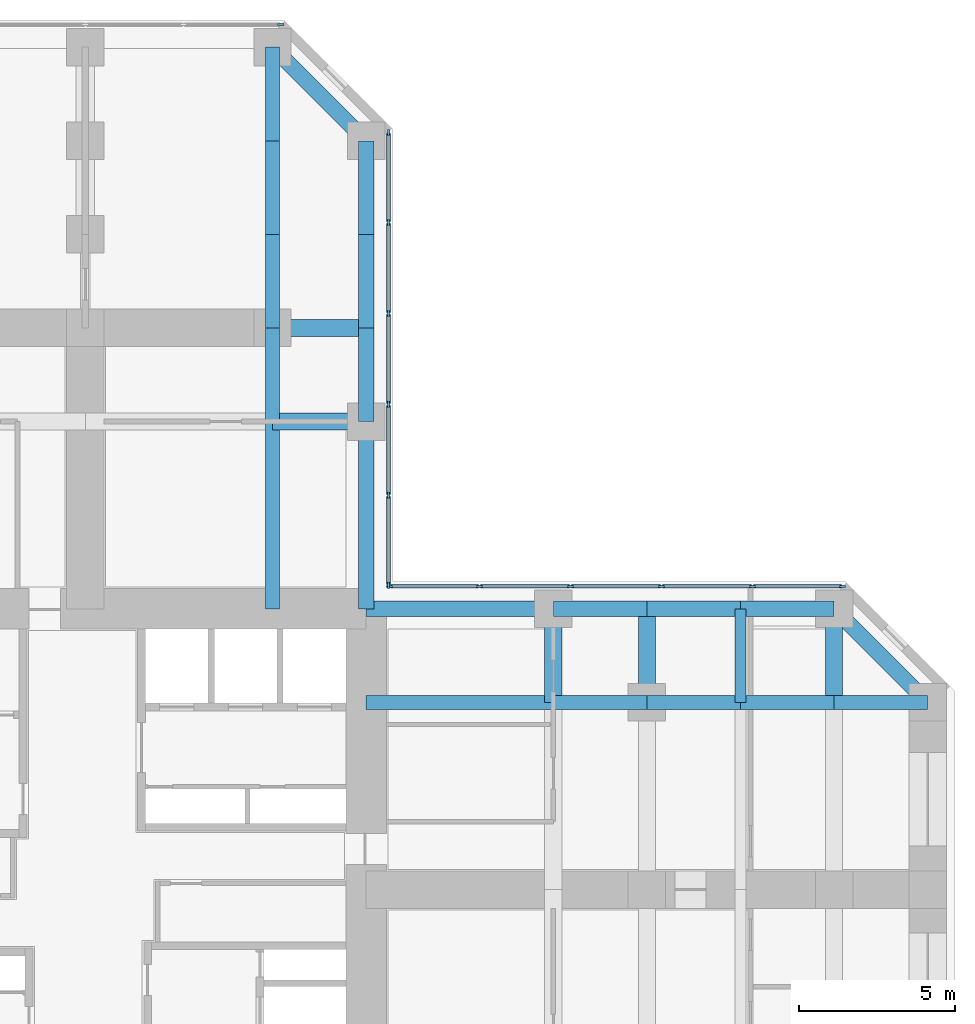
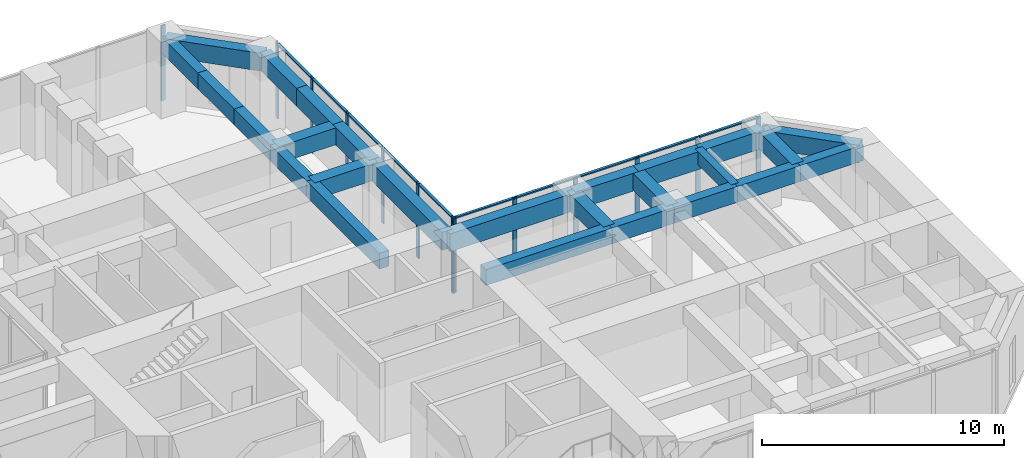
# One storey, part 6 of 13: 26 beams, 23 members, 3 elements without a shape of their own.
"""IFC4 building model written with IfcOpenShell, lengths in metres."""

from ifc_helpers import new_model, si_unit, direction, frame, origin, origin_2d, place, context, subcontext, project, spatial, rectangle, extrude, material, material_profile, profile_set, type_object, element, aggregate, save


model = new_model("IFC4")

# Units and contexts
model_context = context("Model", 3, precision=1e-05, world=origin(), true_north=direction((0.0, 1.0)))
body_context = subcontext(model_context, "Body", "Model", "MODEL_VIEW")
ifc_project = project(units=[si_unit("LENGTHUNIT", "METRE"), si_unit("AREAUNIT", "SQUARE_METRE"), si_unit("VOLUMEUNIT", "CUBIC_METRE"), si_unit("PLANEANGLEUNIT", "RADIAN"), si_unit("MASSUNIT", "GRAM", prefix="KILO")], contexts=[model_context])

# Site, building, storey
site_placement = place(None, origin())
site = spatial("IfcSite", under=ifc_project, at=site_placement, CompositionType="ELEMENT")
building_placement = place(site_placement, origin())
building = spatial("IfcBuilding", under=site, at=building_placement, Name="Torre Cruceta", CompositionType="ELEMENT")
storey_placement = place(building_placement, frame((0.0, 0.0, 47.5)))
storey = spatial("IfcBuildingStorey", under=building, at=storey_placement, Name="L11", CompositionType="ELEMENT", Elevation=47.5)

# Beams
ifc_material_1 = material(Name="Concrete G60 (fck 60 MPa)", Category="concrete")
ifc_material_profile_1 = material_profile(ifc_material_1, rectangle(XDim=0.449951171875, YDim=0.800048828125, at=origin_2d()), Name="RC 450X800")
ifc_profile_set_1 = profile_set([ifc_material_profile_1], Name="Concrete G60 (fck 60 MPa)")
beam_type_1 = type_object("IfcBeamType", Name="COLUMN LINE BEAM RC 450X800", PredefinedType="BEAM", material=ifc_profile_set_1)
beam_1_placement = place(storey_placement, frame((6.0, 9.0, 3.39990234375), z_axis=(0.0, 1.0, 0.0), x_axis=(-1.0, 0.0, 0.0)))
element("IfcBeam", 1, at=beam_1_placement, inside=storey, type_object=beam_type_1, Name="LB1 L11 N col- 1", PredefinedType="BEAM", context=body_context, shape_type="SweptSolid", body=[
    extrude(rectangle(XDim=0.449951171875, YDim=0.800048828125, at=origin_2d()), origin(), (0.0, 0.0, 1.0), 6.0),
])
for number, where, z_axis, x_axis, name in (
    (2, (6.0, 15.0, 3.39990234375), (0.0, 1.0, 0.0), (-1.0, 0.0, 0.0), "LB1 L11 N col- 2"),
    (3, (6.0, 18.0, 3.39990234375), (0.0, 1.0, 0.0), (-1.0, 0.0, 0.0), "LB1 L11 N col- 3"),
    (4, (6.0, 21.0, 3.39990234375), (0.0, 1.0, 0.0), (-1.0, 0.0, 0.0), "LB1 L11 N col- 4"),
    (5, (6.0, 24.0, 3.39990234375), (0.0, 1.0, 0.0), (-1.0, 0.0, 0.0), "LB1 L11 N col- 5"),
):
    element("IfcBeam", number, at=place(storey_placement, frame(where, z_axis=z_axis, x_axis=x_axis)), inside=storey, type_object=beam_type_1, Name=name, PredefinedType="BEAM", context=body_context, shape_type="SweptSolid", body=[
        extrude(rectangle(XDim=0.449951171875, YDim=0.800048828125, at=origin_2d()), origin(), (0.0, 0.0, 1.0), 3.0),
    ])
beam_2_placement = place(storey_placement, frame((9.0, 6.0, 3.39990234375), z_axis=(1.0, 0.0, 0.0), x_axis=(0.0, 1.0, 0.0)))
element("IfcBeam", 6, at=beam_2_placement, inside=storey, type_object=beam_type_1, Name="LB1 L11 E col+ 1", PredefinedType="BEAM", context=body_context, shape_type="SweptSolid", body=[
    extrude(rectangle(XDim=0.449951171875, YDim=0.800048828125, at=origin_2d()), origin(), (0.0, 0.0, 1.0), 6.0),
])
for number, where, z_axis, x_axis, name in (
    (7, (15.0, 6.0, 3.39990234375), (1.0, 0.0, 0.0), (0.0, 1.0, 0.0), "LB1 L11 E col+ 2"),
    (8, (18.0, 6.0, 3.39990234375), (1.0, 0.0, 0.0), (0.0, 1.0, 0.0), "LB1 L11 E col+ 3"),
    (9, (21.0, 6.0, 3.39990234375), (1.0, 0.0, 0.0), (0.0, 1.0, 0.0), "LB1 L11 E col+ 4"),
    (10, (24.0, 6.0, 3.39990234375), (1.0, 0.0, 0.0), (0.0, 1.0, 0.0), "LB1 L11 E col+ 5"),
):
    element("IfcBeam", number, at=place(storey_placement, frame(where, z_axis=z_axis, x_axis=x_axis)), inside=storey, type_object=beam_type_1, Name=name, PredefinedType="BEAM", context=body_context, shape_type="SweptSolid", body=[
        extrude(rectangle(XDim=0.449951171875, YDim=0.800048828125, at=origin_2d()), origin(), (0.0, 0.0, 1.0), 3.0),
    ])
ifc_material_2 = material(Name="Concrete G60 (fck 60 MPa)", Category="concrete")
ifc_material_profile_2 = material_profile(ifc_material_2, rectangle(XDim=0.550048828125, YDim=0.85009765625, at=origin_2d()), Name="RC 550X850")
ifc_profile_set_2 = profile_set([ifc_material_profile_2], Name="Concrete G60 (fck 60 MPa)")
beam_type_2 = type_object("IfcBeamType", Name="CROSS BEAM RC 550X850", PredefinedType="BEAM", material=ifc_profile_set_2)
for number, where, z_axis, x_axis, name in (
    (11, (9.0, 15.0, 3.375), (-1.0, 0.0, 0.0), (0.0, -1.0, 0.0), "GB4 L11 N cross15 1"),
    (12, (9.0, 18.0, 3.375), (-1.0, 0.0, 0.0), (0.0, -1.0, 0.0), "GB4 L11 N cross18 1"),
    (13, (15.0, 6.0, 3.375), (0.0, 1.0, 0.0), (-1.0, 0.0, 0.0), "GB4 L11 E cross15 4"),
    (14, (18.0, 6.0, 3.375), (0.0, 1.0, 0.0), (-1.0, 0.0, 0.0), "GB4 L11 E cross18 4"),
    (15, (24.0, 6.0, 3.375), (0.0, 1.0, 0.0), (-1.0, 0.0, 0.0), "GB4 L11 E cross24 4"),
):
    element("IfcBeam", number, at=place(storey_placement, frame(where, z_axis=z_axis, x_axis=x_axis)), inside=storey, type_object=beam_type_2, Name=name, PredefinedType="BEAM", context=body_context, shape_type="SweptSolid", body=[
        extrude(rectangle(XDim=0.550048828125, YDim=0.85009765625, at=origin_2d()), origin(), (0.0, 0.0, 1.0), 3.0),
    ])

# Curtain wall, members
ifc_material_3 = material(Name="Aluminium unitised curtain wall", Category="aluminium")
curtain_wall_type = type_object("IfcCurtainWallType", Name="CURTAIN WALL CW-A OFFICE LOW RISE", PredefinedType="USERDEFINED", material=ifc_material_3)
curtain_wall_1_placement = place(storey_placement, origin())
curtain_wall_1 = element("IfcCurtainWall", 16, at=curtain_wall_1_placement, inside=storey, type_object=curtain_wall_type, Name="CW-A L11 E side 04", ObjectType="UNITISED", PredefinedType="USERDEFINED")
ifc_material_4 = material(Name="Aluminium mullion", Category="aluminium")
ifc_material_profile_3 = material_profile(ifc_material_4, rectangle(XDim=0.06494140625, YDim=0.199951171875, at=origin_2d()), Name="AL 65X200")
ifc_profile_set_3 = profile_set([ifc_material_profile_3], Name="Aluminium mullion")
member_type_1 = type_object("IfcMemberType", Name="CW-A MULLION 65X200", PredefinedType="MULLION", material=ifc_profile_set_3)
member_1_placement = place(storey_placement, frame((24.265625, 9.719970703125, 0.0), z_axis=(0.0, 0.0, 1.0), x_axis=(0.0, -1.0, 0.0)))
member_1 = element("IfcMember", 17, at=member_1_placement, type_object=member_type_1, Name="CW-A mullion 1", PredefinedType="MULLION", context=body_context, shape_type="SweptSolid", body=[
    extrude(rectangle(XDim=0.06494140625, YDim=0.199951171875, at=origin_2d()), origin(), (0.0, 0.0, 1.0), 3.800048828125),
])
member_2_placement = place(storey_placement, frame((21.382568359375, 9.719970703125, 0.0), z_axis=(0.0, 0.0, 1.0), x_axis=(0.0, -1.0, 0.0)))
member_2 = element("IfcMember", 18, at=member_2_placement, type_object=member_type_1, Name="CW-A mullion 2", PredefinedType="MULLION", context=body_context, shape_type="SweptSolid", body=[
    extrude(rectangle(XDim=0.06494140625, YDim=0.199951171875, at=origin_2d()), origin(), (0.0, 0.0, 1.0), 3.800048828125),
])
member_3_placement = place(storey_placement, frame((18.467041015625, 9.719970703125, 0.0), z_axis=(0.0, 0.0, 1.0), x_axis=(0.0, -1.0, 0.0)))
member_3 = element("IfcMember", 19, at=member_3_placement, type_object=member_type_1, Name="CW-A mullion 3", PredefinedType="MULLION", context=body_context, shape_type="SweptSolid", body=[
    extrude(rectangle(XDim=0.06494140625, YDim=0.199951171875, at=origin_2d()), origin(), (0.0, 0.0, 1.0), 3.800048828125),
])
member_4_placement = place(storey_placement, frame((15.55126953125, 9.719970703125, 0.0), z_axis=(0.0, 0.0, 1.0), x_axis=(0.0, -1.0, 0.0)))
member_4 = element("IfcMember", 20, at=member_4_placement, type_object=member_type_1, Name="CW-A mullion 4", PredefinedType="MULLION", context=body_context, shape_type="SweptSolid", body=[
    extrude(rectangle(XDim=0.06494140625, YDim=0.199951171875, at=origin_2d()), origin(), (0.0, 0.0, 1.0), 3.800048828125),
])
member_5_placement = place(storey_placement, frame((12.6357421875, 9.719970703125, 0.0), z_axis=(0.0, 0.0, 1.0), x_axis=(0.0, -1.0, 0.0)))
member_5 = element("IfcMember", 21, at=member_5_placement, type_object=member_type_1, Name="CW-A mullion 5", PredefinedType="MULLION", context=body_context, shape_type="SweptSolid", body=[
    extrude(rectangle(XDim=0.06494140625, YDim=0.199951171875, at=origin_2d()), origin(), (0.0, 0.0, 1.0), 3.800048828125),
])
member_6_placement = place(storey_placement, frame((9.75244140625, 9.719970703125, 0.0), z_axis=(0.0, 0.0, 1.0), x_axis=(0.0, -1.0, 0.0)))
member_6 = element("IfcMember", 22, at=member_6_placement, type_object=member_type_1, Name="CW-A mullion 6", PredefinedType="MULLION", context=body_context, shape_type="SweptSolid", body=[
    extrude(rectangle(XDim=0.06494140625, YDim=0.199951171875, at=origin_2d()), origin(), (0.0, 0.0, 1.0), 3.800048828125),
])

curtain_wall_2_placement = place(storey_placement, origin())
curtain_wall_2 = element("IfcCurtainWall", 23, at=curtain_wall_2_placement, inside=storey, type_object=curtain_wall_type, Name="CW-A L11 N side 05", ObjectType="UNITISED", PredefinedType="USERDEFINED")
member_7_placement = place(storey_placement, frame((9.719970703125, 9.75244140625, 0.0), z_axis=(0.0, 0.0, 1.0), x_axis=(-1.0, 0.0, 0.0)))
member_7 = element("IfcMember", 24, at=member_7_placement, type_object=member_type_1, Name="CW-A mullion 1", PredefinedType="MULLION", context=body_context, shape_type="SweptSolid", body=[
    extrude(rectangle(XDim=0.06494140625, YDim=0.199951171875, at=origin_2d()), origin(), (0.0, 0.0, 1.0), 3.800048828125),
])
member_8_placement = place(storey_placement, frame((9.719970703125, 12.6357421875, 0.0), z_axis=(0.0, 0.0, 1.0), x_axis=(-1.0, 0.0, 0.0)))
member_8 = element("IfcMember", 25, at=member_8_placement, type_object=member_type_1, Name="CW-A mullion 2", PredefinedType="MULLION", context=body_context, shape_type="SweptSolid", body=[
    extrude(rectangle(XDim=0.06494140625, YDim=0.199951171875, at=origin_2d()), origin(), (0.0, 0.0, 1.0), 3.800048828125),
])
member_9_placement = place(storey_placement, frame((9.719970703125, 15.55126953125, 0.0), z_axis=(0.0, 0.0, 1.0), x_axis=(-1.0, 0.0, 0.0)))
member_9 = element("IfcMember", 26, at=member_9_placement, type_object=member_type_1, Name="CW-A mullion 3", PredefinedType="MULLION", context=body_context, shape_type="SweptSolid", body=[
    extrude(rectangle(XDim=0.06494140625, YDim=0.199951171875, at=origin_2d()), origin(), (0.0, 0.0, 1.0), 3.800048828125),
])
member_10_placement = place(storey_placement, frame((9.719970703125, 18.467041015625, 0.0), z_axis=(0.0, 0.0, 1.0), x_axis=(-1.0, 0.0, 0.0)))
member_10 = element("IfcMember", 27, at=member_10_placement, type_object=member_type_1, Name="CW-A mullion 4", PredefinedType="MULLION", context=body_context, shape_type="SweptSolid", body=[
    extrude(rectangle(XDim=0.06494140625, YDim=0.199951171875, at=origin_2d()), origin(), (0.0, 0.0, 1.0), 3.800048828125),
])
member_11_placement = place(storey_placement, frame((9.719970703125, 21.382568359375, 0.0), z_axis=(0.0, 0.0, 1.0), x_axis=(-1.0, 0.0, 0.0)))
member_11 = element("IfcMember", 28, at=member_11_placement, type_object=member_type_1, Name="CW-A mullion 5", PredefinedType="MULLION", context=body_context, shape_type="SweptSolid", body=[
    extrude(rectangle(XDim=0.06494140625, YDim=0.199951171875, at=origin_2d()), origin(), (0.0, 0.0, 1.0), 3.800048828125),
])
member_12_placement = place(storey_placement, frame((9.719970703125, 24.265625, 0.0), z_axis=(0.0, 0.0, 1.0), x_axis=(-1.0, 0.0, 0.0)))
member_12 = element("IfcMember", 29, at=member_12_placement, type_object=member_type_1, Name="CW-A mullion 6", PredefinedType="MULLION", context=body_context, shape_type="SweptSolid", body=[
    extrude(rectangle(XDim=0.06494140625, YDim=0.199951171875, at=origin_2d()), origin(), (0.0, 0.0, 1.0), 3.800048828125),
])

# Curtain wall, member
curtain_wall_3_placement = place(storey_placement, origin())
curtain_wall_3 = element("IfcCurtainWall", 30, at=curtain_wall_3_placement, inside=storey, type_object=curtain_wall_type, Name="CW-A L11 N tip 07", ObjectType="UNITISED", PredefinedType="USERDEFINED")
member_13_placement = place(storey_placement, frame((6.265625, 27.719970703125, 0.0), z_axis=(0.0, 0.0, 1.0), x_axis=(0.0, -1.0, 0.0)))
member_13 = element("IfcMember", 31, at=member_13_placement, type_object=member_type_1, Name="CW-A mullion 1", PredefinedType="MULLION", context=body_context, shape_type="SweptSolid", body=[
    extrude(rectangle(XDim=0.06494140625, YDim=0.199951171875, at=origin_2d()), origin(), (0.0, 0.0, 1.0), 3.800048828125),
])
aggregate(curtain_wall_3, [member_13])

# Member
ifc_material_5 = material(Name="Aluminium transom", Category="aluminium")
ifc_material_profile_4 = material_profile(ifc_material_5, rectangle(XDim=0.1201171875, YDim=0.06494140625, at=origin_2d()), Name="AL 120X65")
ifc_profile_set_4 = profile_set([ifc_material_profile_4], Name="Aluminium transom")
member_type_2 = type_object("IfcMemberType", Name="CW-A TRANSOM 65X120", PredefinedType="USERDEFINED", material=ifc_profile_set_4)
member_14_placement = place(storey_placement, frame((24.233154296875, 9.719970703125, 3.767578125), z_axis=(-1.0, 0.0, 0.0), x_axis=(0.0, -1.0, 0.0)))
member_14 = element("IfcMember", 32, at=member_14_placement, type_object=member_type_2, Name="CW-A transom 1", ObjectType="TRANSOM", PredefinedType="USERDEFINED", context=body_context, shape_type="SweptSolid", body=[
    extrude(rectangle(XDim=0.1201171875, YDim=0.06494140625, at=origin_2d()), origin(), (0.0, 0.0, 1.0), 2.818115234375),
])

member_15_placement = place(storey_placement, frame((21.35009765625, 9.719970703125, 3.767578125), z_axis=(-1.0, 0.0, 0.0), x_axis=(0.0, -1.0, 0.0)))
member_15 = element("IfcMember", 33, at=member_15_placement, type_object=member_type_2, Name="CW-A transom 2", ObjectType="TRANSOM", PredefinedType="USERDEFINED", context=body_context, shape_type="SweptSolid", body=[
    extrude(rectangle(XDim=0.1201171875, YDim=0.06494140625, at=origin_2d()), origin(), (0.0, 0.0, 1.0), 2.8505859375),
])

member_16_placement = place(storey_placement, frame((18.434326171875, 9.719970703125, 3.767578125), z_axis=(-1.0, 0.0, 0.0), x_axis=(0.0, -1.0, 0.0)))
member_16 = element("IfcMember", 34, at=member_16_placement, type_object=member_type_2, Name="CW-A transom 3", ObjectType="TRANSOM", PredefinedType="USERDEFINED", context=body_context, shape_type="SweptSolid", body=[
    extrude(rectangle(XDim=0.1201171875, YDim=0.06494140625, at=origin_2d()), origin(), (0.0, 0.0, 1.0), 2.8505859375),
])

member_17_placement = place(storey_placement, frame((15.518798828125, 9.719970703125, 3.767578125), z_axis=(-1.0, 0.0, 0.0), x_axis=(0.0, -1.0, 0.0)))
member_17 = element("IfcMember", 35, at=member_17_placement, type_object=member_type_2, Name="CW-A transom 4", ObjectType="TRANSOM", PredefinedType="USERDEFINED", context=body_context, shape_type="SweptSolid", body=[
    extrude(rectangle(XDim=0.1201171875, YDim=0.06494140625, at=origin_2d()), origin(), (0.0, 0.0, 1.0), 2.8505859375),
])

member_18_placement = place(storey_placement, frame((12.60302734375, 9.719970703125, 3.767578125), z_axis=(-1.0, 0.0, 0.0), x_axis=(0.0, -1.0, 0.0)))
member_18 = element("IfcMember", 36, at=member_18_placement, type_object=member_type_2, Name="CW-A transom 5", ObjectType="TRANSOM", PredefinedType="USERDEFINED", context=body_context, shape_type="SweptSolid", body=[
    extrude(rectangle(XDim=0.1201171875, YDim=0.06494140625, at=origin_2d()), origin(), (0.0, 0.0, 1.0), 2.818115234375),
])

aggregate(curtain_wall_1, [member_1, member_2, member_3, member_4, member_5, member_6, member_14, member_15, member_16, member_17, member_18])

member_19_placement = place(storey_placement, frame((9.719970703125, 9.784912109375, 3.767578125), z_axis=(0.0, 1.0, 0.0), x_axis=(-1.0, 0.0, 0.0)))
member_19 = element("IfcMember", 37, at=member_19_placement, type_object=member_type_2, Name="CW-A transom 1", ObjectType="TRANSOM", PredefinedType="USERDEFINED", context=body_context, shape_type="SweptSolid", body=[
    extrude(rectangle(XDim=0.1201171875, YDim=0.06494140625, at=origin_2d()), origin(), (0.0, 0.0, 1.0), 2.818115234375),
])

member_20_placement = place(storey_placement, frame((9.719970703125, 12.668212890625, 3.767578125), z_axis=(0.0, 1.0, 0.0), x_axis=(-1.0, 0.0, 0.0)))
member_20 = element("IfcMember", 38, at=member_20_placement, type_object=member_type_2, Name="CW-A transom 2", ObjectType="TRANSOM", PredefinedType="USERDEFINED", context=body_context, shape_type="SweptSolid", body=[
    extrude(rectangle(XDim=0.1201171875, YDim=0.06494140625, at=origin_2d()), origin(), (0.0, 0.0, 1.0), 2.8505859375),
])

member_21_placement = place(storey_placement, frame((9.719970703125, 15.583740234375, 3.767578125), z_axis=(0.0, 1.0, 0.0), x_axis=(-1.0, 0.0, 0.0)))
member_21 = element("IfcMember", 39, at=member_21_placement, type_object=member_type_2, Name="CW-A transom 3", ObjectType="TRANSOM", PredefinedType="USERDEFINED", context=body_context, shape_type="SweptSolid", body=[
    extrude(rectangle(XDim=0.1201171875, YDim=0.06494140625, at=origin_2d()), origin(), (0.0, 0.0, 1.0), 2.8505859375),
])

member_22_placement = place(storey_placement, frame((9.719970703125, 18.49951171875, 3.767578125), z_axis=(0.0, 1.0, 0.0), x_axis=(-1.0, 0.0, 0.0)))
member_22 = element("IfcMember", 40, at=member_22_placement, type_object=member_type_2, Name="CW-A transom 4", ObjectType="TRANSOM", PredefinedType="USERDEFINED", context=body_context, shape_type="SweptSolid", body=[
    extrude(rectangle(XDim=0.1201171875, YDim=0.06494140625, at=origin_2d()), origin(), (0.0, 0.0, 1.0), 2.8505859375),
])

member_23_placement = place(storey_placement, frame((9.719970703125, 21.4150390625, 3.767578125), z_axis=(0.0, 1.0, 0.0), x_axis=(-1.0, 0.0, 0.0)))
member_23 = element("IfcMember", 41, at=member_23_placement, type_object=member_type_2, Name="CW-A transom 5", ObjectType="TRANSOM", PredefinedType="USERDEFINED", context=body_context, shape_type="SweptSolid", body=[
    extrude(rectangle(XDim=0.1201171875, YDim=0.06494140625, at=origin_2d()), origin(), (0.0, 0.0, 1.0), 2.818115234375),
])

aggregate(curtain_wall_2, [member_7, member_8, member_9, member_10, member_11, member_12, member_19, member_20, member_21, member_22, member_23])

# Beams
ifc_material_6 = material(Name="Concrete G60 (fck 60 MPa)", Category="concrete")
ifc_material_profile_5 = material_profile(ifc_material_6, rectangle(XDim=0.35009765625, YDim=0.64990234375, at=origin_2d()), Name="RC 350X650")
ifc_profile_set_5 = profile_set([ifc_material_profile_5], Name="Concrete G60 (fck 60 MPa)")
beam_type_3 = type_object("IfcBeamType", Name="SECONDARY BEAM RC 350X650", PredefinedType="JOIST", material=ifc_profile_set_5)
beam_3_placement = place(storey_placement, frame((21.0, 6.0, 3.47509765625), z_axis=(0.0, 1.0, 0.0), x_axis=(-1.0, 0.0, 0.0)))
element("IfcBeam", 42, at=beam_3_placement, inside=storey, type_object=beam_type_3, Name="JB3 L11 E sec21 4", PredefinedType="JOIST", context=body_context, shape_type="SweptSolid", body=[
    extrude(rectangle(XDim=0.35009765625, YDim=0.64990234375, at=origin_2d()), origin(), (0.0, 0.0, 1.0), 3.0),
])
ifc_material_7 = material(Name="Concrete G60 (fck 60 MPa)", Category="concrete")
ifc_material_profile_6 = material_profile(ifc_material_7, rectangle(XDim=0.5, YDim=0.89990234375, at=origin_2d()), Name="RC 500X900")
ifc_profile_set_6 = profile_set([ifc_material_profile_6], Name="Concrete G60 (fck 60 MPa)")
beam_type_4 = type_object("IfcBeamType", Name="SPANDREL BEAM RC 500X900", PredefinedType="SPANDREL", material=ifc_profile_set_6)
beam_4_placement = place(storey_placement, frame((9.0, 9.0, 3.35009765625), z_axis=(0.0, 1.0, 0.0), x_axis=(-1.0, 0.0, 0.0)))
element("IfcBeam", 43, at=beam_4_placement, inside=storey, type_object=beam_type_4, Name="SB4 L11 N side- 1", PredefinedType="SPANDREL", context=body_context, shape_type="SweptSolid", body=[
    extrude(rectangle(XDim=0.5, YDim=0.89990234375, at=origin_2d()), origin(), (0.0, 0.0, 1.0), 6.0),
])
for number, where, z_axis, x_axis, name in (
    (44, (9.0, 15.0, 3.35009765625), (0.0, 1.0, 0.0), (-1.0, 0.0, 0.0), "SB4 L11 N side- 2"),
    (45, (9.0, 18.0, 3.35009765625), (0.0, 1.0, 0.0), (-1.0, 0.0, 0.0), "SB4 L11 N side- 3"),
    (46, (9.0, 21.0, 3.35009765625), (0.0, 1.0, 0.0), (-1.0, 0.0, 0.0), "SB4 L11 N side- 4"),
):
    element("IfcBeam", number, at=place(storey_placement, frame(where, z_axis=z_axis, x_axis=x_axis)), inside=storey, type_object=beam_type_4, Name=name, PredefinedType="SPANDREL", context=body_context, shape_type="SweptSolid", body=[
        extrude(rectangle(XDim=0.5, YDim=0.89990234375, at=origin_2d()), origin(), (0.0, 0.0, 1.0), 3.0),
    ])
beam_5_placement = place(storey_placement, frame((9.0, 24.0, 3.35009765625), z_axis=(-0.707106781187, 0.707106781187, 0.0), x_axis=(-0.707106781187, -0.707106781187, 0.0)))
element("IfcBeam", 47, at=beam_5_placement, inside=storey, type_object=beam_type_4, Name="SB4 L11 N side- 5", PredefinedType="SPANDREL", context=body_context, shape_type="SweptSolid", body=[
    extrude(rectangle(XDim=0.5, YDim=0.89990234375, at=origin_2d()), origin(), (0.0, 0.0, 1.0), 4.24267578125),
])
beam_6_placement = place(storey_placement, frame((9.0, 9.0, 3.35009765625), z_axis=(1.0, 0.0, 0.0), x_axis=(0.0, 1.0, 0.0)))
element("IfcBeam", 48, at=beam_6_placement, inside=storey, type_object=beam_type_4, Name="SB4 L11 E side+ 1", PredefinedType="SPANDREL", context=body_context, shape_type="SweptSolid", body=[
    extrude(rectangle(XDim=0.5, YDim=0.89990234375, at=origin_2d()), origin(), (0.0, 0.0, 1.0), 6.0),
])
for number, where, z_axis, x_axis, name in (
    (49, (15.0, 9.0, 3.35009765625), (1.0, 0.0, 0.0), (0.0, 1.0, 0.0), "SB4 L11 E side+ 2"),
    (50, (18.0, 9.0, 3.35009765625), (1.0, 0.0, 0.0), (0.0, 1.0, 0.0), "SB4 L11 E side+ 3"),
    (51, (21.0, 9.0, 3.35009765625), (1.0, 0.0, 0.0), (0.0, 1.0, 0.0), "SB4 L11 E side+ 4"),
):
    element("IfcBeam", number, at=place(storey_placement, frame(where, z_axis=z_axis, x_axis=x_axis)), inside=storey, type_object=beam_type_4, Name=name, PredefinedType="SPANDREL", context=body_context, shape_type="SweptSolid", body=[
        extrude(rectangle(XDim=0.5, YDim=0.89990234375, at=origin_2d()), origin(), (0.0, 0.0, 1.0), 3.0),
    ])
beam_7_placement = place(storey_placement, frame((24.0, 9.0, 3.35009765625), z_axis=(0.707106781187, -0.707106781187, 0.0), x_axis=(0.707106781187, 0.707106781187, 0.0)))
element("IfcBeam", 52, at=beam_7_placement, inside=storey, type_object=beam_type_4, Name="SB4 L11 E side+ 5", PredefinedType="SPANDREL", context=body_context, shape_type="SweptSolid", body=[
    extrude(rectangle(XDim=0.5, YDim=0.89990234375, at=origin_2d()), origin(), (0.0, 0.0, 1.0), 4.24267578125),
])

save(model, "model.ifc")
